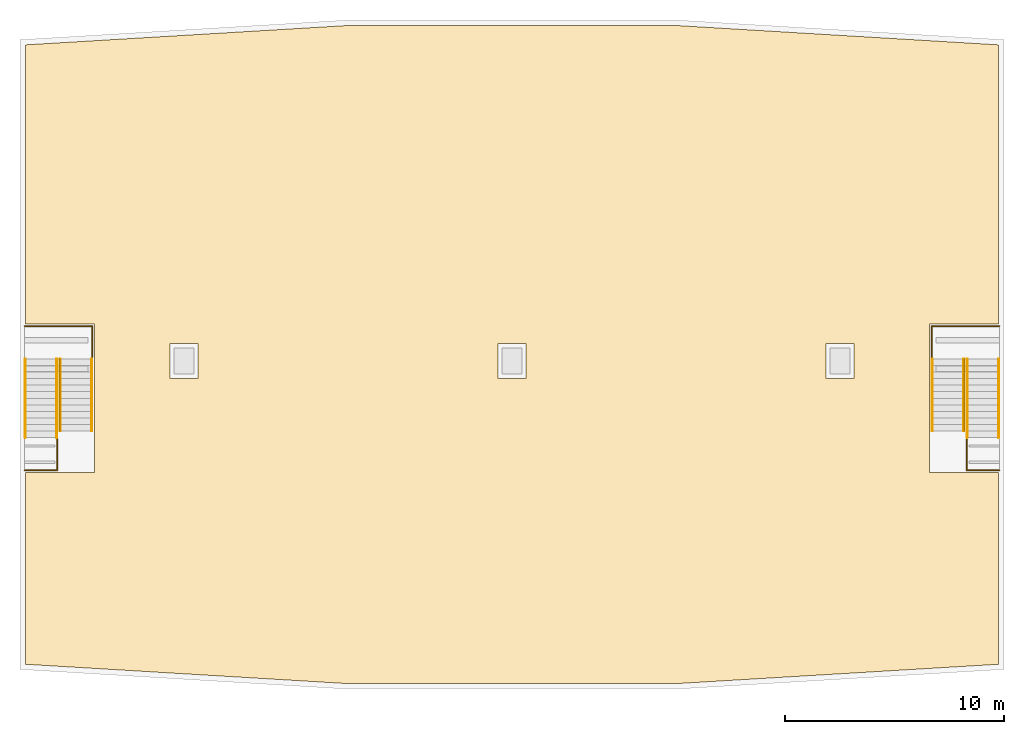
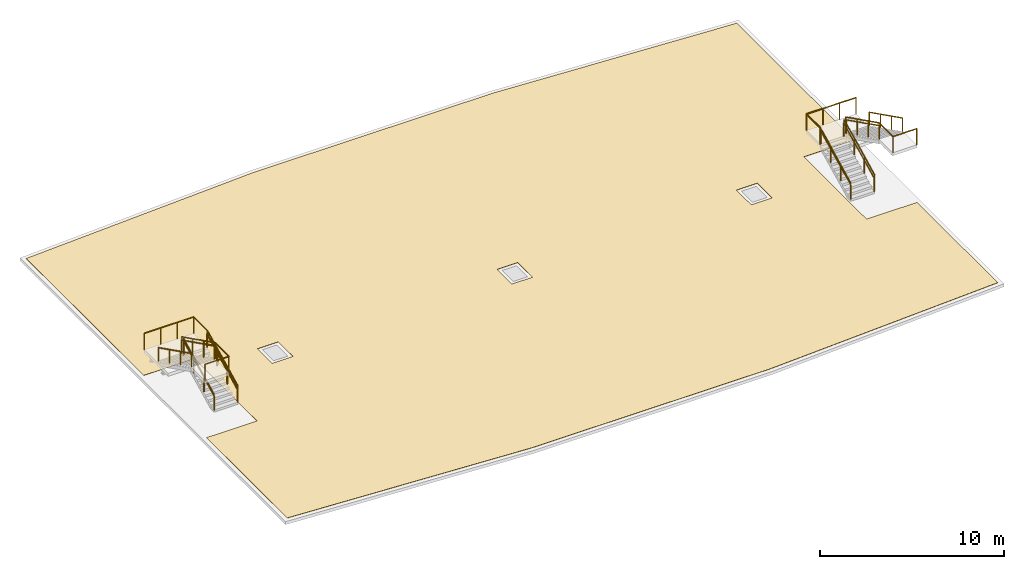
# One storey, part 2 of 2: 14 railings, 1 covering.
"""IFC4 building model written with IfcOpenShell, lengths in metres."""

from ifc_helpers import new_model, si_unit, direction, frame, origin, origin_2d, place, context, subcontext, project, spatial, polyline, circle, outline, extrude, material, layer, layer_set, type_object, element, save


model = new_model("IFC4")

# Units and contexts
model_context = context("Model", 3, precision=1e-05, world=origin(), true_north=direction((0.0, 1.0)))
body_context = subcontext(model_context, "Body", "Model", "MODEL_VIEW")
ifc_project = project(units=[si_unit("LENGTHUNIT", "METRE"), si_unit("AREAUNIT", "SQUARE_METRE"), si_unit("VOLUMEUNIT", "CUBIC_METRE"), si_unit("PLANEANGLEUNIT", "RADIAN"), si_unit("MASSUNIT", "GRAM", prefix="KILO")], contexts=[model_context])

# Site, building, storey
site_placement = place(None, origin())
site = spatial("IfcSite", under=ifc_project, at=site_placement, CompositionType="ELEMENT")
building_placement = place(site_placement, origin())
building = spatial("IfcBuilding", under=site, at=building_placement, Name="Azimuth Sports and Learning Centre", CompositionType="ELEMENT")
storey_placement = place(building_placement, frame((0.0, 0.0, 79.199951171875)))
storey = spatial("IfcBuildingStorey", under=building, at=storey_placement, Name="ROOF", CompositionType="ELEMENT", Elevation=79.199951171875)

# Covering
ifc_material_1 = material(Name="Bituminous membrane")
ifc_layer = layer(ifc_material_1, 0.02001953125)
ifc_layer_set = layer_set([ifc_layer], Name="Bituminous membrane")
covering_type = type_object("IfcCoveringType", Name="Roofing membrane 20", PredefinedType="ROOFING", material=ifc_layer_set)
covering_placement = place(storey_placement, origin())
element("IfcCovering", 1, at=covering_placement, inside=storey, type_object=covering_type, Name="Roofing membrane tower roof", PredefinedType="ROOFING", context=body_context, shape_type="SweptSolid", body=[
    extrude(outline(polyline([(66.409912109375, 98.39990234375), (66.409912109375, 105.199951171875), (63.25, 105.199951171875), (63.25, 117.25), (63.25, 117.964599609375), (78.007568359375, 118.85009765625), (92.992431640625, 118.85009765625), (107.75, 117.964599609375), (107.75, 117.25), (107.75, 105.199951171875), (104.590087890625, 105.199951171875), (104.590087890625, 98.39990234375), (107.75, 98.39990234375), (107.75, 89.75), (107.75, 89.635498046875), (92.992431640625, 88.75), (78.007568359375, 88.75), (63.25, 89.635498046875), (63.25, 89.75), (63.25, 98.39990234375), (66.409912109375, 98.39990234375)]), holes=[polyline([(69.85009765625, 102.699951171875), (71.14990234375, 102.699951171875), (71.14990234375, 104.300048828125), (69.85009765625, 104.300048828125), (69.85009765625, 102.699951171875)]), polyline([(84.85009765625, 102.699951171875), (86.14990234375, 102.699951171875), (86.14990234375, 104.300048828125), (84.85009765625, 104.300048828125), (84.85009765625, 102.699951171875)]), polyline([(99.85009765625, 102.699951171875), (101.14990234375, 102.699951171875), (101.14990234375, 104.300048828125), (99.85009765625, 104.300048828125), (99.85009765625, 102.699951171875)])]), origin(), (0.0, 0.0, 1.0), 0.02001953125),
])

# Railings
ifc_material_2 = material(Name="Stainless steel", Category="steel")
railing_type_1 = type_object("IfcRailingType", Name="Stair guard 1100", PredefinedType="GUARDRAIL", material=ifc_material_2)
railing_1_placement = place(storey_placement, frame((66.31005859375, 100.300048828125, 0.150146484375)))
element("IfcRailing", 2, at=railing_1_placement, inside=storey, type_object=railing_type_1, Name="Guard RS1 ROOF outer", PredefinedType="GUARDRAIL", context=body_context, shape_type="SweptSolid", body=[
    extrude(circle(Radius=0.02392578125, at=origin_2d()), frame((0.0, 0.0, 1.076171875), z_axis=(0.0, 0.894440424912, 0.447187126696), x_axis=(-1.0, 0.0, 0.0)), (0.0, 0.0, 1.0), 3.689453125),
    extrude(circle(Radius=0.02392578125, at=origin_2d()), frame((0.0, 3.300048828125, 2.72607421875), z_axis=(0.0, 1.0, 0.0), x_axis=(-1.0, 0.0, 0.0)), (0.0, 0.0, 1.0), 1.5),
    extrude(circle(Radius=0.02392578125, at=origin_2d()), frame((0.0, 4.800048828125, 2.72607421875), z_axis=(-1.0, 0.0, 0.0), x_axis=(0.0, -1.0, 0.0)), (0.0, 0.0, 1.0), 3.10009765625),
    extrude(circle(Radius=0.01611328125, at=origin_2d()), origin(), (0.0, 0.0, 1.0), 1.052001953125),
    extrude(circle(Radius=0.01611328125, at=origin_2d()), frame((0.0, 1.10009765625, 0.550048828125)), (0.0, 0.0, 1.0), 1.052001953125),
    extrude(circle(Radius=0.01611328125, at=origin_2d()), frame((0.0, 2.199951171875, 1.099853515625)), (0.0, 0.0, 1.0), 1.052001953125),
    extrude(circle(Radius=0.01611328125, at=origin_2d()), frame((0.0, 3.300048828125, 1.64990234375)), (0.0, 0.0, 1.0), 1.052001953125),
    extrude(circle(Radius=0.01611328125, at=origin_2d()), frame((0.0, 4.800048828125, 1.64990234375)), (0.0, 0.0, 1.0), 1.052001953125),
    extrude(circle(Radius=0.01611328125, at=origin_2d()), frame((-1.033447265625, 4.800048828125, 1.64990234375)), (0.0, 0.0, 1.0), 1.052001953125),
    extrude(circle(Radius=0.01611328125, at=origin_2d()), frame((-2.066650390625, 4.800048828125, 1.64990234375)), (0.0, 0.0, 1.0), 1.052001953125),
    extrude(circle(Radius=0.01611328125, at=origin_2d()), frame((-3.10009765625, 4.800048828125, 1.64990234375)), (0.0, 0.0, 1.0), 1.052001953125),
])
railing_2_placement = place(storey_placement, frame((64.81005859375, 100.300048828125, 0.150146484375)))
element("IfcRailing", 3, at=railing_2_placement, inside=storey, type_object=railing_type_1, Name="Guard RS1 ROOF well", PredefinedType="GUARDRAIL", context=body_context, shape_type="SweptSolid", body=[
    extrude(circle(Radius=0.02392578125, at=origin_2d()), frame((0.0, 0.0, 1.076171875), z_axis=(0.0, 0.894440424912, 0.447187126696), x_axis=(-1.0, 0.0, 0.0)), (0.0, 0.0, 1.0), 3.689453125),
    extrude(circle(Radius=0.01611328125, at=origin_2d()), origin(), (0.0, 0.0, 1.0), 1.052001953125),
    extrude(circle(Radius=0.01611328125, at=origin_2d()), frame((0.0, 1.10009765625, 0.550048828125)), (0.0, 0.0, 1.0), 1.052001953125),
    extrude(circle(Radius=0.01611328125, at=origin_2d()), frame((0.0, 2.199951171875, 1.099853515625)), (0.0, 0.0, 1.0), 1.052001953125),
    extrude(circle(Radius=0.01611328125, at=origin_2d()), frame((0.0, 3.300048828125, 1.64990234375)), (0.0, 0.0, 1.0), 1.052001953125),
])
railing_3_placement = place(storey_placement, frame((64.7099609375, 103.60009765625, 1.949951171875)))
element("IfcRailing", 4, at=railing_3_placement, inside=storey, type_object=railing_type_1, Name="Guard RS1 ROOF top", PredefinedType="GUARDRAIL", context=body_context, shape_type="SweptSolid", body=[
    extrude(circle(Radius=0.02392578125, at=origin_2d()), frame((0.0, 0.0, 1.076171875), z_axis=(0.0, -0.894427191, 0.4472135955), x_axis=(1.0, 0.0, 0.0)), (0.0, 0.0, 1.0), 4.025146484375),
    extrude(circle(Radius=0.02392578125, at=origin_2d()), frame((0.0, -3.60009765625, 2.8759765625), z_axis=(0.0, -1.0, 0.0), x_axis=(1.0, 0.0, 0.0)), (0.0, 0.0, 1.0), 1.5),
    extrude(circle(Radius=0.02392578125, at=origin_2d()), frame((0.0, -5.10009765625, 2.8759765625), z_axis=(-1.0, 0.0, 0.0), x_axis=(0.0, -1.0, 0.0)), (0.0, 0.0, 1.0), 1.5),
    extrude(circle(Radius=0.01611328125, at=origin_2d()), origin(), (0.0, 0.0, 1.0), 1.052001953125),
    extrude(circle(Radius=0.01611328125, at=origin_2d()), frame((0.0, -1.199951171875, 0.60009765625)), (0.0, 0.0, 1.0), 1.052001953125),
    extrude(circle(Radius=0.01611328125, at=origin_2d()), frame((0.0, -2.400146484375, 1.199951171875)), (0.0, 0.0, 1.0), 1.052001953125),
    extrude(circle(Radius=0.01611328125, at=origin_2d()), frame((0.0, -3.60009765625, 1.800048828125)), (0.0, 0.0, 1.0), 1.052001953125),
    extrude(circle(Radius=0.01611328125, at=origin_2d()), frame((0.0, -5.10009765625, 1.800048828125)), (0.0, 0.0, 1.0), 1.052001953125),
    extrude(circle(Radius=0.01611328125, at=origin_2d()), frame((-1.5, -5.10009765625, 1.800048828125)), (0.0, 0.0, 1.0), 1.052001953125),
])
railing_4_placement = place(storey_placement, frame((104.68994140625, 100.300048828125, 0.150146484375)))
element("IfcRailing", 5, at=railing_4_placement, inside=storey, type_object=railing_type_1, Name="Guard RS2 ROOF outer", PredefinedType="GUARDRAIL", context=body_context, shape_type="SweptSolid", body=[
    extrude(circle(Radius=0.02392578125, at=origin_2d()), frame((0.0, 0.0, 1.076171875), z_axis=(0.0, 0.894440424912, 0.447187126696), x_axis=(-1.0, 0.0, 0.0)), (0.0, 0.0, 1.0), 3.689453125),
    extrude(circle(Radius=0.02392578125, at=origin_2d()), frame((0.0, 3.300048828125, 2.72607421875), z_axis=(0.0, 1.0, 0.0), x_axis=(-1.0, 0.0, 0.0)), (0.0, 0.0, 1.0), 1.5),
    extrude(circle(Radius=0.02392578125, at=origin_2d()), frame((0.0, 4.800048828125, 2.72607421875), z_axis=(1.0, 0.0, 0.0), x_axis=(0.0, 1.0, 0.0)), (0.0, 0.0, 1.0), 3.10009765625),
    extrude(circle(Radius=0.01611328125, at=origin_2d()), origin(), (0.0, 0.0, 1.0), 1.052001953125),
    extrude(circle(Radius=0.01611328125, at=origin_2d()), frame((0.0, 1.10009765625, 0.550048828125)), (0.0, 0.0, 1.0), 1.052001953125),
    extrude(circle(Radius=0.01611328125, at=origin_2d()), frame((0.0, 2.199951171875, 1.099853515625)), (0.0, 0.0, 1.0), 1.052001953125),
    extrude(circle(Radius=0.01611328125, at=origin_2d()), frame((0.0, 3.300048828125, 1.64990234375)), (0.0, 0.0, 1.0), 1.052001953125),
    extrude(circle(Radius=0.01611328125, at=origin_2d()), frame((0.0, 4.800048828125, 1.64990234375)), (0.0, 0.0, 1.0), 1.052001953125),
    extrude(circle(Radius=0.01611328125, at=origin_2d()), frame((1.033447265625, 4.800048828125, 1.64990234375)), (0.0, 0.0, 1.0), 1.052001953125),
    extrude(circle(Radius=0.01611328125, at=origin_2d()), frame((2.066650390625, 4.800048828125, 1.64990234375)), (0.0, 0.0, 1.0), 1.052001953125),
    extrude(circle(Radius=0.01611328125, at=origin_2d()), frame((3.10009765625, 4.800048828125, 1.64990234375)), (0.0, 0.0, 1.0), 1.052001953125),
])
railing_5_placement = place(storey_placement, frame((106.18994140625, 100.300048828125, 0.150146484375)))
element("IfcRailing", 6, at=railing_5_placement, inside=storey, type_object=railing_type_1, Name="Guard RS2 ROOF well", PredefinedType="GUARDRAIL", context=body_context, shape_type="SweptSolid", body=[
    extrude(circle(Radius=0.02392578125, at=origin_2d()), frame((0.0, 0.0, 1.076171875), z_axis=(0.0, 0.894440424912, 0.447187126696), x_axis=(-1.0, 0.0, 0.0)), (0.0, 0.0, 1.0), 3.689453125),
    extrude(circle(Radius=0.01611328125, at=origin_2d()), origin(), (0.0, 0.0, 1.0), 1.052001953125),
    extrude(circle(Radius=0.01611328125, at=origin_2d()), frame((0.0, 1.10009765625, 0.550048828125)), (0.0, 0.0, 1.0), 1.052001953125),
    extrude(circle(Radius=0.01611328125, at=origin_2d()), frame((0.0, 2.199951171875, 1.099853515625)), (0.0, 0.0, 1.0), 1.052001953125),
    extrude(circle(Radius=0.01611328125, at=origin_2d()), frame((0.0, 3.300048828125, 1.64990234375)), (0.0, 0.0, 1.0), 1.052001953125),
])
railing_6_placement = place(storey_placement, frame((106.2900390625, 103.60009765625, 1.949951171875)))
element("IfcRailing", 7, at=railing_6_placement, inside=storey, type_object=railing_type_1, Name="Guard RS2 ROOF top", PredefinedType="GUARDRAIL", context=body_context, shape_type="SweptSolid", body=[
    extrude(circle(Radius=0.02392578125, at=origin_2d()), frame((0.0, 0.0, 1.076171875), z_axis=(0.0, -0.894427191, 0.4472135955), x_axis=(1.0, 0.0, 0.0)), (0.0, 0.0, 1.0), 4.025146484375),
    extrude(circle(Radius=0.02392578125, at=origin_2d()), frame((0.0, -3.60009765625, 2.8759765625), z_axis=(0.0, -1.0, 0.0), x_axis=(1.0, 0.0, 0.0)), (0.0, 0.0, 1.0), 1.5),
    extrude(circle(Radius=0.02392578125, at=origin_2d()), frame((0.0, -5.10009765625, 2.8759765625), z_axis=(1.0, 0.0, 0.0), x_axis=(0.0, 1.0, 0.0)), (0.0, 0.0, 1.0), 1.5),
    extrude(circle(Radius=0.01611328125, at=origin_2d()), origin(), (0.0, 0.0, 1.0), 1.052001953125),
    extrude(circle(Radius=0.01611328125, at=origin_2d()), frame((0.0, -1.199951171875, 0.60009765625)), (0.0, 0.0, 1.0), 1.052001953125),
    extrude(circle(Radius=0.01611328125, at=origin_2d()), frame((0.0, -2.400146484375, 1.199951171875)), (0.0, 0.0, 1.0), 1.052001953125),
    extrude(circle(Radius=0.01611328125, at=origin_2d()), frame((0.0, -3.60009765625, 1.800048828125)), (0.0, 0.0, 1.0), 1.052001953125),
    extrude(circle(Radius=0.01611328125, at=origin_2d()), frame((0.0, -5.10009765625, 1.800048828125)), (0.0, 0.0, 1.0), 1.052001953125),
    extrude(circle(Radius=0.01611328125, at=origin_2d()), frame((1.5, -5.10009765625, 1.800048828125)), (0.0, 0.0, 1.0), 1.052001953125),
])
ifc_material_3 = material(Name="Stainless steel", Category="steel")
railing_type_2 = type_object("IfcRailingType", Name="Stair handrail 42", PredefinedType="HANDRAIL", material=ifc_material_3)
for number, where, name in (
    (8, (64.840087890625, 100.300048828125, 0.150146484375), "Handrail RS1 ROOF flight 1 W"),
    (9, (66.280029296875, 100.300048828125, 0.150146484375), "Handrail RS1 ROOF flight 1 E"),
):
    element("IfcRailing", number, at=place(storey_placement, frame(where)), inside=storey, type_object=railing_type_2, Name=name, PredefinedType="HANDRAIL", context=body_context, shape_type="SweptSolid", body=[
        extrude(circle(Radius=0.02099609375, at=origin_2d()), frame((0.0, 0.0, 0.87890625), z_axis=(0.0, 0.894440424912, 0.447187126696), x_axis=(-1.0, 0.0, 0.0)), (0.0, 0.0, 1.0), 3.689453125),
        extrude(circle(Radius=0.01611328125, at=origin_2d()), origin(), (0.0, 0.0, 1.0), 0.85791015625),
        extrude(circle(Radius=0.01611328125, at=origin_2d()), frame((0.0, 1.10009765625, 0.550048828125)), (0.0, 0.0, 1.0), 0.85791015625),
        extrude(circle(Radius=0.01611328125, at=origin_2d()), frame((0.0, 2.199951171875, 1.099853515625)), (0.0, 0.0, 1.0), 0.85791015625),
        extrude(circle(Radius=0.01611328125, at=origin_2d()), frame((0.0, 3.300048828125, 1.64990234375)), (0.0, 0.0, 1.0), 0.85791015625),
    ])
for number, where, name in (
    (10, (63.239990234375, 103.60009765625, 1.949951171875), "Handrail RS1 ROOF flight 2 W"),
    (11, (64.679931640625, 103.60009765625, 1.949951171875), "Handrail RS1 ROOF flight 2 E"),
):
    element("IfcRailing", number, at=place(storey_placement, frame(where)), inside=storey, type_object=railing_type_2, Name=name, PredefinedType="HANDRAIL", context=body_context, shape_type="SweptSolid", body=[
        extrude(circle(Radius=0.02099609375, at=origin_2d()), frame((0.0, 0.0, 0.87890625), z_axis=(0.0, -0.894427191, 0.4472135955), x_axis=(1.0, 0.0, 0.0)), (0.0, 0.0, 1.0), 4.025146484375),
        extrude(circle(Radius=0.01611328125, at=origin_2d()), origin(), (0.0, 0.0, 1.0), 0.85791015625),
        extrude(circle(Radius=0.01611328125, at=origin_2d()), frame((0.0, -1.199951171875, 0.60009765625)), (0.0, 0.0, 1.0), 0.85791015625),
        extrude(circle(Radius=0.01611328125, at=origin_2d()), frame((0.0, -2.400146484375, 1.199951171875)), (0.0, 0.0, 1.0), 0.85791015625),
        extrude(circle(Radius=0.01611328125, at=origin_2d()), frame((0.0, -3.60009765625, 1.800048828125)), (0.0, 0.0, 1.0), 0.85791015625),
    ])
for number, where, name in (
    (12, (104.719970703125, 100.300048828125, 0.150146484375), "Handrail RS2 ROOF flight 1 W"),
    (13, (106.159912109375, 100.300048828125, 0.150146484375), "Handrail RS2 ROOF flight 1 E"),
):
    element("IfcRailing", number, at=place(storey_placement, frame(where)), inside=storey, type_object=railing_type_2, Name=name, PredefinedType="HANDRAIL", context=body_context, shape_type="SweptSolid", body=[
        extrude(circle(Radius=0.02099609375, at=origin_2d()), frame((0.0, 0.0, 0.87890625), z_axis=(0.0, 0.894440424912, 0.447187126696), x_axis=(-1.0, 0.0, 0.0)), (0.0, 0.0, 1.0), 3.689453125),
        extrude(circle(Radius=0.01611328125, at=origin_2d()), origin(), (0.0, 0.0, 1.0), 0.85791015625),
        extrude(circle(Radius=0.01611328125, at=origin_2d()), frame((0.0, 1.10009765625, 0.550048828125)), (0.0, 0.0, 1.0), 0.85791015625),
        extrude(circle(Radius=0.01611328125, at=origin_2d()), frame((0.0, 2.199951171875, 1.099853515625)), (0.0, 0.0, 1.0), 0.85791015625),
        extrude(circle(Radius=0.01611328125, at=origin_2d()), frame((0.0, 3.300048828125, 1.64990234375)), (0.0, 0.0, 1.0), 0.85791015625),
    ])
for number, where, name in (
    (14, (106.320068359375, 103.60009765625, 1.949951171875), "Handrail RS2 ROOF flight 2 W"),
    (15, (107.760009765625, 103.60009765625, 1.949951171875), "Handrail RS2 ROOF flight 2 E"),
):
    element("IfcRailing", number, at=place(storey_placement, frame(where)), inside=storey, type_object=railing_type_2, Name=name, PredefinedType="HANDRAIL", context=body_context, shape_type="SweptSolid", body=[
        extrude(circle(Radius=0.02099609375, at=origin_2d()), frame((0.0, 0.0, 0.87890625), z_axis=(0.0, -0.894427191, 0.4472135955), x_axis=(1.0, 0.0, 0.0)), (0.0, 0.0, 1.0), 4.025146484375),
        extrude(circle(Radius=0.01611328125, at=origin_2d()), origin(), (0.0, 0.0, 1.0), 0.85791015625),
        extrude(circle(Radius=0.01611328125, at=origin_2d()), frame((0.0, -1.199951171875, 0.60009765625)), (0.0, 0.0, 1.0), 0.85791015625),
        extrude(circle(Radius=0.01611328125, at=origin_2d()), frame((0.0, -2.400146484375, 1.199951171875)), (0.0, 0.0, 1.0), 0.85791015625),
        extrude(circle(Radius=0.01611328125, at=origin_2d()), frame((0.0, -3.60009765625, 1.800048828125)), (0.0, 0.0, 1.0), 0.85791015625),
    ])

save(model, "model.ifc")
